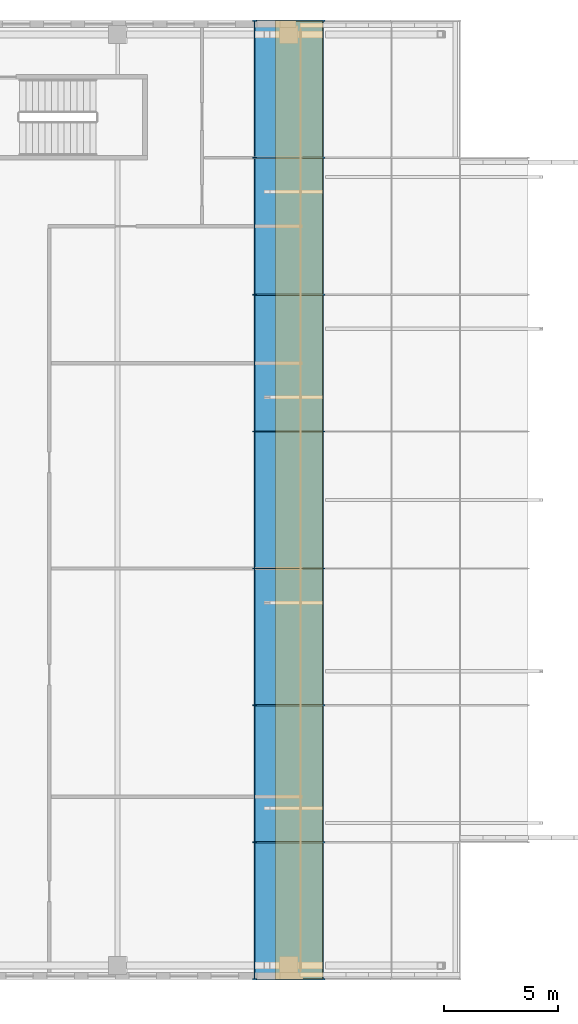
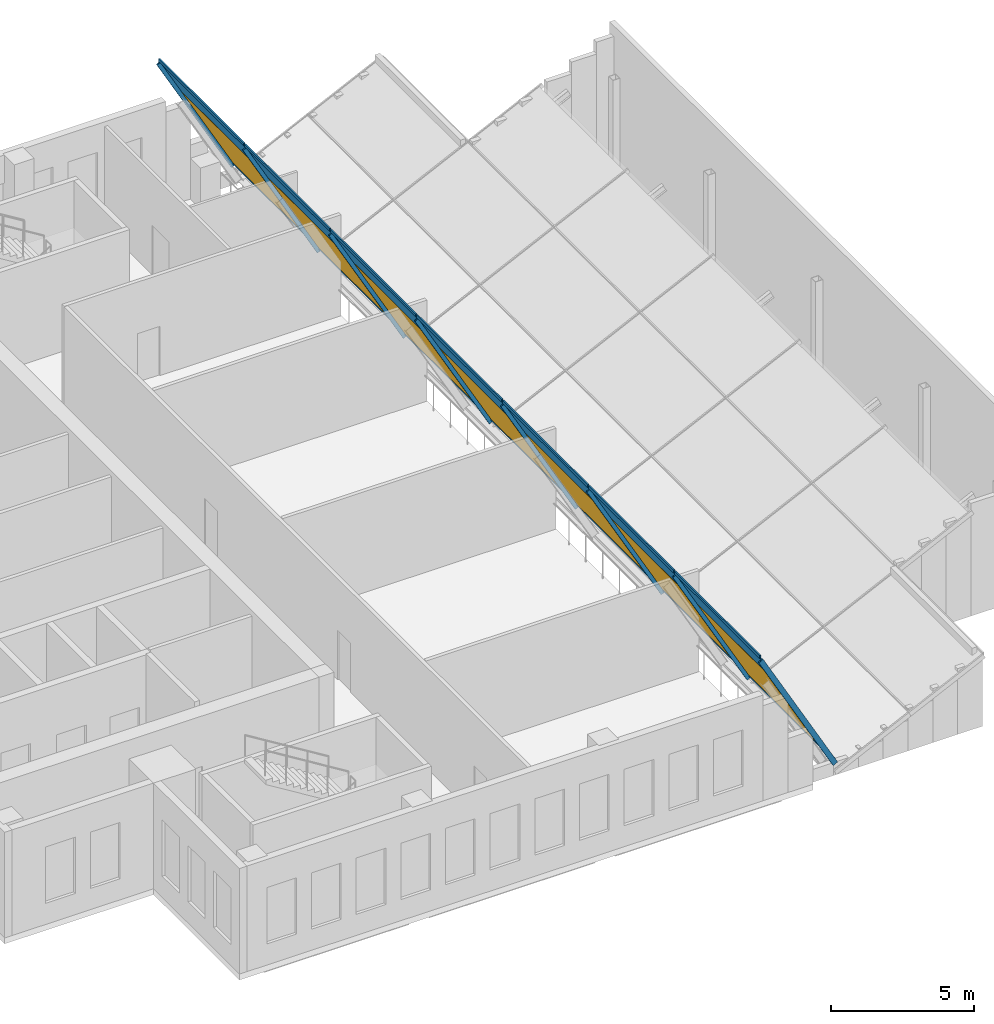
# One storey, part 8 of 11: 22 members, 7 plates, 1 curtain wall.
"""IFC4 building model written with IfcOpenShell, lengths in metres."""

import ifcopenshell
import ifcopenshell.guid

model = None  # the IFC model being written
_history = None  # IfcOwnerHistory: only IFC2X3 demands one
_inside = {}  # id of a spatial element -> (the spatial element, [elements in it])
_under = {}  # id of a project, library or spatial element -> (it, [spatial elements below it])
_declared = {}  # id of a project -> (the project, [libraries it declares])
_typed = {}  # id of a type object -> (the type object, [elements of that type])
_made_of = {}  # id of a material, layer set ... -> (it, [elements and type objects made of it])


def new_model(schema):
    """Start an empty IFC model of exactly this schema.

    Asked for "IFC4X3", IfcOpenShell would pick the latest addendum, in which some entities
    have other attributes; the version numbers below select the first issue.
    IFC2X3 requires an IfcOwnerHistory on every rooted entity: one is made here for all.
    """
    global model, _history
    if schema == "IFC4X3":
        model = ifcopenshell.file(schema_version=(4, 3, 0, 0))
    else:
        model = ifcopenshell.file(schema=schema)
    _inside.clear()
    _under.clear()
    _declared.clear()
    _typed.clear()
    _made_of.clear()
    _history = None
    if model.schema == "IFC2X3":
        org = make("IfcOrganization", Name="unknown")
        user = make(
            "IfcPersonAndOrganization",
            ThePerson=make("IfcPerson", FamilyName="unknown"),
            TheOrganization=org,
        )
        app = make(
            "IfcApplication",
            ApplicationDeveloper=org,
            Version="unknown",
            ApplicationFullName="unknown",
            ApplicationIdentifier="unknown",
        )
        _history = make(
            "IfcOwnerHistory",
            OwningUser=user,
            OwningApplication=app,
            ChangeAction="ADDED",
            CreationDate=0,
        )
    return model


def make(cls, **values):
    """One entity of the class cls with the attributes given. An attribute that is None is left unset."""
    return model.create_entity(
        cls, **{name: value for name, value in values.items() if value is not None}
    )


def rooted(cls, **values):
    """An entity with a GlobalId (a new one), such as an element, a storey or a relation."""
    return make(cls, GlobalId=ifcopenshell.guid.new(), OwnerHistory=_history, **values)


def si_unit(unit_type, name, prefix=None):
    """IfcSIUnit, for example si_unit("LENGTHUNIT", "METRE", prefix="MILLI")."""
    return make("IfcSIUnit", UnitType=unit_type, Prefix=prefix, Name=name)


def assignment(units):
    """IfcUnitAssignment: the units of a project."""
    return None if units is None else make("IfcUnitAssignment", Units=units)


def point(xyz):
    """IfcCartesianPoint."""
    return None if xyz is None else make("IfcCartesianPoint", Coordinates=xyz)


def direction(xyz):
    """IfcDirection."""
    return None if xyz is None else make("IfcDirection", DirectionRatios=xyz)


def frame(location, z_axis=None, x_axis=None):
    """IfcAxis2Placement3D, a coordinate frame: its origin and axes. An axis left out is left unset."""
    return make(
        "IfcAxis2Placement3D",
        Location=point(location),
        Axis=direction(z_axis),
        RefDirection=direction(x_axis),
    )


def frame_2d(location, x_axis=None):
    """IfcAxis2Placement2D, a coordinate frame in the plane: its origin and x axis."""
    return make(
        "IfcAxis2Placement2D", Location=point(location), RefDirection=direction(x_axis)
    )


def origin():
    """The frame at (0, 0, 0) with its axes left unset."""
    return frame((0.0, 0.0, 0.0))


def origin_2d():
    """The frame at (0, 0) in the plane with its x axis left unset."""
    return frame_2d((0.0, 0.0))


def place(relative_to, where):
    """IfcLocalPlacement: puts the frame where relative to a parent placement (None: the world)."""
    return make(
        "IfcLocalPlacement", PlacementRelTo=relative_to, RelativePlacement=where
    )


def context(
    kind, dimensions, precision=None, world=None, true_north=None, identifier=None
):
    """IfcGeometricRepresentationContext, for example the 3D "Model" context."""
    return make(
        "IfcGeometricRepresentationContext",
        ContextIdentifier=identifier,
        ContextType=kind,
        CoordinateSpaceDimension=dimensions,
        Precision=precision,
        WorldCoordinateSystem=world,
        TrueNorth=true_north,
    )


def subcontext(parent, identifier, kind, view, scale=None):
    """IfcGeometricRepresentationSubContext, for example "Body" below "Model"."""
    return make(
        "IfcGeometricRepresentationSubContext",
        ContextIdentifier=identifier,
        ContextType=kind,
        ParentContext=parent,
        TargetScale=scale,
        TargetView=view,
    )


def project(units=None, contexts=None):
    """IfcProject with its units and contexts."""
    return rooted(
        "IfcProject",
        Name="project",
        RepresentationContexts=contexts,
        UnitsInContext=assignment(units),
    )


def spatial(cls, under=None, at=None, **own):
    """A site, building, storey or space (cls), placed at a placement, below another one or the project."""
    s = rooted(cls, ObjectPlacement=at, **own)
    if under is not None:
        _under.setdefault(under.id(), (under, []))[1].append(s)
    return s


def polyline(points):
    """IfcPolyline through the points."""
    return make("IfcPolyline", Points=[point(p) for p in points])


def profile(cls, at=None, kind="AREA", **sizes):
    """A parametric profile (cls). Its sizes go by their IFC names, for example OverallWidth=200.0."""
    return make(cls, ProfileType=kind, Position=at, **sizes)


def hollow_rectangle(**sizes):
    """IfcRectangleHollowProfileDef."""
    return profile("IfcRectangleHollowProfileDef", **sizes)


def outline(outer, holes=None, kind="AREA"):
    """IfcArbitraryClosedProfileDef: a profile drawn as a closed curve; with holes, ...WithVoids."""
    if holes is None:
        return make("IfcArbitraryClosedProfileDef", ProfileType=kind, OuterCurve=outer)
    return make(
        "IfcArbitraryProfileDefWithVoids",
        ProfileType=kind,
        OuterCurve=outer,
        InnerCurves=holes,
    )


def extrude(swept, where, along, depth):
    """IfcExtrudedAreaSolid: the profile swept, set in the frame where, extruded along a direction by depth."""
    return make(
        "IfcExtrudedAreaSolid",
        SweptArea=swept,
        Position=where,
        ExtrudedDirection=direction(along),
        Depth=depth,
    )


def shape(context_of_items, identifier, shape_type, items):
    """IfcShapeRepresentation: the items that make up one representation, for example the "Body"."""
    return make(
        "IfcShapeRepresentation",
        ContextOfItems=context_of_items,
        RepresentationIdentifier=identifier,
        RepresentationType=shape_type,
        Items=items,
    )


def source(mapping_origin, context_of_items, identifier, shape_type, items):
    """IfcRepresentationMap: a shape defined once, which mapped items show again and again."""
    return make(
        "IfcRepresentationMap",
        MappingOrigin=mapping_origin,
        MappedRepresentation=shape(context_of_items, identifier, shape_type, items),
    )


def transform(
    local_origin,
    x_axis=None,
    y_axis=None,
    z_axis=None,
    scale=None,
    scale2=None,
    scale3=None,
    uniform=True,
):
    """IfcCartesianTransformationOperator3D, or its non-uniform kind. x_axis, y_axis, z_axis: its Axis1, 2, 3."""
    if uniform:
        return make(
            "IfcCartesianTransformationOperator3D",
            Axis1=direction(x_axis),
            Axis2=direction(y_axis),
            LocalOrigin=point(local_origin),
            Scale=scale,
            Axis3=direction(z_axis),
        )
    return make(
        "IfcCartesianTransformationOperator3DnonUniform",
        Axis1=direction(x_axis),
        Axis2=direction(y_axis),
        LocalOrigin=point(local_origin),
        Scale=scale,
        Axis3=direction(z_axis),
        Scale2=scale2,
        Scale3=scale3,
    )


def mapped(mapping_source, mapping_target):
    """IfcMappedItem: shows the shape of a source again, moved by a transform."""
    return make(
        "IfcMappedItem", MappingSource=mapping_source, MappingTarget=mapping_target
    )


def material(Name=None, Category=None):
    """IfcMaterial."""
    return make("IfcMaterial", Name=Name, Category=Category)


def layer(
    of_material, thickness, ventilated=None, Name=None, Category=None, Priority=None
):
    """IfcMaterialLayer: one layer of a wall or slab, of a material (None: an air gap)."""
    return make(
        "IfcMaterialLayer",
        Material=of_material,
        LayerThickness=thickness,
        IsVentilated=ventilated,
        Name=Name,
        Category=Category,
        Priority=Priority,
    )


def layer_set(layers, Name=None):
    """IfcMaterialLayerSet."""
    return make("IfcMaterialLayerSet", MaterialLayers=layers, LayerSetName=Name)


def material_profile(
    of_material, cross_section, Name=None, Category=None, Priority=None
):
    """IfcMaterialProfile: a cross section and its material."""
    return make(
        "IfcMaterialProfile",
        Name=Name,
        Material=of_material,
        Profile=cross_section,
        Priority=Priority,
        Category=Category,
    )


def profile_set(profiles, Name=None, composite=None):
    """IfcMaterialProfileSet."""
    return make(
        "IfcMaterialProfileSet",
        Name=Name,
        MaterialProfiles=profiles,
        CompositeProfile=composite,
    )


def made_of(thing, what):
    """Note that an element or type object is made of a material, layer set ...; save() writes the relation."""
    if what is not None:
        _made_of.setdefault(what.id(), (what, []))[1].append(thing)
    return thing


def type_object(cls, material=None, **own):
    """A type object (cls), such as IfcWallType, which elements share."""
    return made_of(rooted(cls, **own), material)


def element(
    cls,
    number,
    at=None,
    inside=None,
    cuts=None,
    type_object=None,
    material=None,
    context=None,
    identifier="Body",
    shape_type=None,
    held_by="IfcProductDefinitionShape",
    body=None,
    shapes=None,
    **own,
):
    """One element of the class cls, such as IfcWall. Its Tag is "e" and its number.

    at: its placement. inside: the storey or other place that contains it. cuts: it is an
    opening in that element (IfcRelVoidsElement). A single representation is given by context,
    identifier, shape_type and body (its items); several are given by shapes. held_by: the class
    of the entity that holds the representations. save() writes the other relations.
    """
    e = rooted(cls, Tag="e%d" % number, ObjectPlacement=at, **own)
    if body is not None:
        shapes = [shape(context, identifier, shape_type, body)]
    if shapes is not None:
        e.Representation = make(held_by, Representations=shapes)
    if inside is not None:
        _inside.setdefault(inside.id(), (inside, []))[1].append(e)
    if cuts is not None:
        rooted(
            "IfcRelVoidsElement", RelatingBuildingElement=cuts, RelatedOpeningElement=e
        )
    if type_object is not None:
        _typed.setdefault(type_object.id(), (type_object, []))[1].append(e)
    return made_of(e, material)


def aggregate(whole, parts):
    """IfcRelAggregates: a whole, such as a stair, and the parts it consists of."""
    return rooted("IfcRelAggregates", RelatingObject=whole, RelatedObjects=parts)


def save(model, path):
    """Write the relations noted so far, then the file.

    IfcRelAggregates (storeys below a building ...), IfcRelContainedInSpatialStructure (elements
    in a storey), IfcRelDefinesByType, IfcRelAssociatesMaterial and IfcRelDeclares: one each for
    every whole, place, type object, material and project.
    """
    for whole, parts in _under.values():
        aggregate(whole, parts)
    for where, things in _inside.values():
        rooted(
            "IfcRelContainedInSpatialStructure",
            RelatedElements=things,
            RelatingStructure=where,
        )
    for kind, things in _typed.values():
        rooted("IfcRelDefinesByType", RelatedObjects=things, RelatingType=kind)
    for what, things in _made_of.values():
        rooted("IfcRelAssociatesMaterial", RelatedObjects=things, RelatingMaterial=what)
    for by, libraries in _declared.values():
        rooted("IfcRelDeclares", RelatingContext=by, RelatedDefinitions=libraries)
    model.write(path)


model = new_model("IFC4")

# Units and contexts
model_context = context("Model", 3, precision=1e-05, world=origin(), true_north=direction((0.0, 1.0)))
body_context = subcontext(model_context, "Body", "Model", "MODEL_VIEW")
ifc_project = project(units=[si_unit("LENGTHUNIT", "METRE"), si_unit("AREAUNIT", "SQUARE_METRE"), si_unit("VOLUMEUNIT", "CUBIC_METRE"), si_unit("PLANEANGLEUNIT", "RADIAN"), si_unit("MASSUNIT", "GRAM", prefix="KILO")], contexts=[model_context])

# Member
ifc_material_1 = material(Name="Aluminium", Category="aluminium")
ifc_material_profile_1 = material_profile(ifc_material_1, hollow_rectangle(XDim=0.06005859375, YDim=0.1201171875, WallThickness=0.0048828125, at=origin_2d()), Name="Crown roof glazing purlin CR-CW-T")
ifc_profile_set_1 = profile_set([ifc_material_profile_1], Name="Aluminium")
member_type_1 = type_object("IfcMemberType", Name="Crown roof glazing purlin CR-CW-T", PredefinedType="USERDEFINED", material=ifc_profile_set_1)
shared_shape_1 = source(origin(), body_context, "Body", "SweptSolid", [
    extrude(hollow_rectangle(XDim=0.06005859375, YDim=0.1201171875, WallThickness=0.0048828125, at=origin_2d()), origin(), (0.0, 0.0, 1.0), 5.93994140625),
])
site_placement = place(None, origin())
building_placement = place(site_placement, origin())
storey_placement = place(building_placement, frame((0.0, 0.0, 334.699951171875)))
member_1_placement = place(storey_placement, frame((33.0, 6.030029296875, 6.148193359375), z_axis=(0.0, 1.0, 0.0), x_axis=(-1.0, 0.0, 0.0)))
member_1 = element("IfcMember", 1, at=member_1_placement, type_object=member_type_1, Name="Crown glazing purlin", ObjectType="TRANSOM", PredefinedType="USERDEFINED", context=body_context, shape_type="MappedRepresentation", body=[
    mapped(shared_shape_1, transform((0.0, 0.0, 0.0))),
])

member_2_placement = place(storey_placement, frame((33.0, 12.030029296875, 6.148193359375), z_axis=(0.0, 1.0, 0.0), x_axis=(-1.0, 0.0, 0.0)))
member_2 = element("IfcMember", 2, at=member_2_placement, type_object=member_type_1, Name="Crown glazing purlin", ObjectType="TRANSOM", PredefinedType="USERDEFINED", context=body_context, shape_type="MappedRepresentation", body=[
    mapped(shared_shape_1, transform((0.0, 0.0, 0.0))),
])

member_3_placement = place(storey_placement, frame((33.0, 18.030029296875, 6.148193359375), z_axis=(0.0, 1.0, 0.0), x_axis=(-1.0, 0.0, 0.0)))
member_3 = element("IfcMember", 3, at=member_3_placement, type_object=member_type_1, Name="Crown glazing purlin", ObjectType="TRANSOM", PredefinedType="USERDEFINED", context=body_context, shape_type="MappedRepresentation", body=[
    mapped(shared_shape_1, transform((0.0, 0.0, 0.0))),
])

member_4_placement = place(storey_placement, frame((33.0, 24.030029296875, 6.148193359375), z_axis=(0.0, 1.0, 0.0), x_axis=(-1.0, 0.0, 0.0)))
member_4 = element("IfcMember", 4, at=member_4_placement, type_object=member_type_1, Name="Crown glazing purlin", ObjectType="TRANSOM", PredefinedType="USERDEFINED", context=body_context, shape_type="MappedRepresentation", body=[
    mapped(shared_shape_1, transform((0.0, 0.0, 0.0))),
])

member_5_placement = place(storey_placement, frame((33.0, 30.030029296875, 6.148193359375), z_axis=(0.0, 1.0, 0.0), x_axis=(-1.0, 0.0, 0.0)))
member_5 = element("IfcMember", 5, at=member_5_placement, type_object=member_type_1, Name="Crown glazing purlin", ObjectType="TRANSOM", PredefinedType="USERDEFINED", context=body_context, shape_type="MappedRepresentation", body=[
    mapped(shared_shape_1, transform((0.0, 0.0, 0.0))),
])

member_6_placement = place(storey_placement, frame((33.0, 36.030029296875, 6.148193359375), z_axis=(0.0, 1.0, 0.0), x_axis=(-1.0, 0.0, 0.0)))
member_6 = element("IfcMember", 6, at=member_6_placement, type_object=member_type_1, Name="Crown glazing purlin", ObjectType="TRANSOM", PredefinedType="USERDEFINED", context=body_context, shape_type="MappedRepresentation", body=[
    mapped(shared_shape_1, transform((0.0, 0.0, 0.0))),
])

member_7_placement = place(storey_placement, frame((33.0, 42.030029296875, 6.148193359375), z_axis=(0.0, 1.0, 0.0), x_axis=(-1.0, 0.0, 0.0)))
member_7 = element("IfcMember", 7, at=member_7_placement, type_object=member_type_1, Name="Crown glazing purlin", ObjectType="TRANSOM", PredefinedType="USERDEFINED", context=body_context, shape_type="MappedRepresentation", body=[
    mapped(shared_shape_1, transform((0.0, 0.0, 0.0))),
])

member_8_placement = place(storey_placement, frame((36.0, 6.030029296875, 0.72314453125), z_axis=(0.0, 1.0, 0.0), x_axis=(-1.0, 0.0, 0.0)))
member_8 = element("IfcMember", 8, at=member_8_placement, type_object=member_type_1, Name="Crown glazing purlin", ObjectType="TRANSOM", PredefinedType="USERDEFINED", context=body_context, shape_type="MappedRepresentation", body=[
    mapped(shared_shape_1, transform((0.0, 0.0, 0.0))),
])

member_9_placement = place(storey_placement, frame((36.0, 12.030029296875, 0.72314453125), z_axis=(0.0, 1.0, 0.0), x_axis=(-1.0, 0.0, 0.0)))
member_9 = element("IfcMember", 9, at=member_9_placement, type_object=member_type_1, Name="Crown glazing purlin", ObjectType="TRANSOM", PredefinedType="USERDEFINED", context=body_context, shape_type="MappedRepresentation", body=[
    mapped(shared_shape_1, transform((0.0, 0.0, 0.0))),
])

member_10_placement = place(storey_placement, frame((36.0, 18.030029296875, 0.72314453125), z_axis=(0.0, 1.0, 0.0), x_axis=(-1.0, 0.0, 0.0)))
member_10 = element("IfcMember", 10, at=member_10_placement, type_object=member_type_1, Name="Crown glazing purlin", ObjectType="TRANSOM", PredefinedType="USERDEFINED", context=body_context, shape_type="MappedRepresentation", body=[
    mapped(shared_shape_1, transform((0.0, 0.0, 0.0))),
])

member_11_placement = place(storey_placement, frame((36.0, 24.030029296875, 0.72314453125), z_axis=(0.0, 1.0, 0.0), x_axis=(-1.0, 0.0, 0.0)))
member_11 = element("IfcMember", 11, at=member_11_placement, type_object=member_type_1, Name="Crown glazing purlin", ObjectType="TRANSOM", PredefinedType="USERDEFINED", context=body_context, shape_type="MappedRepresentation", body=[
    mapped(shared_shape_1, transform((0.0, 0.0, 0.0))),
])

member_12_placement = place(storey_placement, frame((36.0, 30.030029296875, 0.72314453125), z_axis=(0.0, 1.0, 0.0), x_axis=(-1.0, 0.0, 0.0)))
member_12 = element("IfcMember", 12, at=member_12_placement, type_object=member_type_1, Name="Crown glazing purlin", ObjectType="TRANSOM", PredefinedType="USERDEFINED", context=body_context, shape_type="MappedRepresentation", body=[
    mapped(shared_shape_1, transform((0.0, 0.0, 0.0))),
])

member_13_placement = place(storey_placement, frame((36.0, 36.030029296875, 0.72314453125), z_axis=(0.0, 1.0, 0.0), x_axis=(-1.0, 0.0, 0.0)))
member_13 = element("IfcMember", 13, at=member_13_placement, type_object=member_type_1, Name="Crown glazing purlin", ObjectType="TRANSOM", PredefinedType="USERDEFINED", context=body_context, shape_type="MappedRepresentation", body=[
    mapped(shared_shape_1, transform((0.0, 0.0, 0.0))),
])

member_14_placement = place(storey_placement, frame((36.0, 42.030029296875, 0.72314453125), z_axis=(0.0, 1.0, 0.0), x_axis=(-1.0, 0.0, 0.0)))
member_14 = element("IfcMember", 14, at=member_14_placement, type_object=member_type_1, Name="Crown glazing purlin", ObjectType="TRANSOM", PredefinedType="USERDEFINED", context=body_context, shape_type="MappedRepresentation", body=[
    mapped(shared_shape_1, transform((0.0, 0.0, 0.0))),
])

ifc_material_2 = material(Name="Aluminium", Category="aluminium")
ifc_material_profile_2 = material_profile(ifc_material_2, hollow_rectangle(XDim=0.06005859375, YDim=0.199951171875, WallThickness=0.0048828125, at=origin_2d()), Name="Crown roof glazing rafter CR-CW-M")
ifc_profile_set_2 = profile_set([ifc_material_profile_2], Name="Aluminium")
member_type_2 = type_object("IfcMemberType", Name="Crown roof glazing rafter CR-CW-M", PredefinedType="MULLION", material=ifc_profile_set_2)
shared_shape_2 = source(origin(), body_context, "Body", "SweptSolid", [
    extrude(hollow_rectangle(XDim=0.06005859375, YDim=0.199951171875, WallThickness=0.0048828125, at=origin_2d()), origin(), (0.0, 0.0, 1.0), 6.19921875),
])
member_15_placement = place(storey_placement, frame((33.0, 6.0, 6.001708984375), z_axis=(0.483926647766, 0.0, -0.875108564454), x_axis=(0.0, 1.0, 0.0)))
member_15 = element("IfcMember", 15, at=member_15_placement, type_object=member_type_2, Name="Crown glazing rafter", PredefinedType="MULLION", context=body_context, shape_type="MappedRepresentation", body=[
    mapped(shared_shape_2, transform((0.0, 0.0, 0.0))),
])

member_16_placement = place(storey_placement, frame((33.0, 12.0, 6.001708984375), z_axis=(0.483926647766, 0.0, -0.875108564454), x_axis=(0.0, 1.0, 0.0)))
member_16 = element("IfcMember", 16, at=member_16_placement, type_object=member_type_2, Name="Crown glazing rafter", PredefinedType="MULLION", context=body_context, shape_type="MappedRepresentation", body=[
    mapped(shared_shape_2, transform((0.0, 0.0, 0.0))),
])

member_17_placement = place(storey_placement, frame((33.0, 18.0, 6.001708984375), z_axis=(0.483926647766, 0.0, -0.875108564454), x_axis=(0.0, 1.0, 0.0)))
member_17 = element("IfcMember", 17, at=member_17_placement, type_object=member_type_2, Name="Crown glazing rafter", PredefinedType="MULLION", context=body_context, shape_type="MappedRepresentation", body=[
    mapped(shared_shape_2, transform((0.0, 0.0, 0.0))),
])

member_18_placement = place(storey_placement, frame((33.0, 24.0, 6.001708984375), z_axis=(0.483926647766, 0.0, -0.875108564454), x_axis=(0.0, 1.0, 0.0)))
member_18 = element("IfcMember", 18, at=member_18_placement, type_object=member_type_2, Name="Crown glazing rafter", PredefinedType="MULLION", context=body_context, shape_type="MappedRepresentation", body=[
    mapped(shared_shape_2, transform((0.0, 0.0, 0.0))),
])

member_19_placement = place(storey_placement, frame((33.0, 30.0, 6.001708984375), z_axis=(0.483926647766, 0.0, -0.875108564454), x_axis=(0.0, 1.0, 0.0)))
member_19 = element("IfcMember", 19, at=member_19_placement, type_object=member_type_2, Name="Crown glazing rafter", PredefinedType="MULLION", context=body_context, shape_type="MappedRepresentation", body=[
    mapped(shared_shape_2, transform((0.0, 0.0, 0.0))),
])

member_20_placement = place(storey_placement, frame((33.0, 36.0, 6.001708984375), z_axis=(0.483926647766, 0.0, -0.875108564454), x_axis=(0.0, 1.0, 0.0)))
member_20 = element("IfcMember", 20, at=member_20_placement, type_object=member_type_2, Name="Crown glazing rafter", PredefinedType="MULLION", context=body_context, shape_type="MappedRepresentation", body=[
    mapped(shared_shape_2, transform((0.0, 0.0, 0.0))),
])

member_21_placement = place(storey_placement, frame((33.0, 42.0, 6.001708984375), z_axis=(0.483926647766, 0.0, -0.875108564454), x_axis=(0.0, 1.0, 0.0)))
member_21 = element("IfcMember", 21, at=member_21_placement, type_object=member_type_2, Name="Crown glazing rafter", PredefinedType="MULLION", context=body_context, shape_type="MappedRepresentation", body=[
    mapped(shared_shape_2, transform((0.0, 0.0, 0.0))),
])

member_22_placement = place(storey_placement, frame((33.0, 48.0, 6.001708984375), z_axis=(0.483926647766, 0.0, -0.875108564454), x_axis=(0.0, 1.0, 0.0)))
member_22 = element("IfcMember", 22, at=member_22_placement, type_object=member_type_2, Name="Crown glazing rafter", PredefinedType="MULLION", context=body_context, shape_type="MappedRepresentation", body=[
    mapped(shared_shape_2, transform((0.0, 0.0, 0.0))),
])

# Plate
ifc_material_3 = material(Name="Laminated heat-strengthened glass", Category="glass")
ifc_layer = layer(ifc_material_3, 0.031982421875)
ifc_layer_set = layer_set([ifc_layer], Name="Laminated heat-strengthened glass")
plate_type = type_object("IfcPlateType", Name="Crown roof glazing panel CR-CW-P", PredefinedType="CURTAIN_PANEL", material=ifc_layer_set)
plate_1_placement = place(storey_placement, frame((33.030029296875, 6.030029296875, 6.112060546875), z_axis=(0.875116601201, 0.0, 0.483912114234), x_axis=(0.483912114234, 0.0, -0.875116601201)))
plate_1 = element("IfcPlate", 23, at=plate_1_placement, type_object=plate_type, Name="Crown roof glazing panel", PredefinedType="CURTAIN_PANEL", context=body_context, shape_type="SweptSolid", body=[
    extrude(outline(polyline([(0.0, 0.0), (6.075362281240205, 0.0), (6.075362281240205, 5.93994140625), (0.0, 5.93994140625), (0.0, 0.0)])), origin(), (0.0, 0.0, -1.0), 0.031982421875),
])

plate_2_placement = place(storey_placement, frame((33.030029296875, 12.030029296875, 6.112060546875), z_axis=(0.875116601201, 0.0, 0.483912114234), x_axis=(0.483912114234, 0.0, -0.875116601201)))
plate_2 = element("IfcPlate", 24, at=plate_2_placement, type_object=plate_type, Name="Crown roof glazing panel", PredefinedType="CURTAIN_PANEL", context=body_context, shape_type="SweptSolid", body=[
    extrude(outline(polyline([(0.0, 0.0), (6.075362281240205, 0.0), (6.075362281240205, 5.93994140625), (0.0, 5.93994140625), (0.0, 0.0)])), origin(), (0.0, 0.0, -1.0), 0.031982421875),
])

plate_3_placement = place(storey_placement, frame((33.030029296875, 18.030029296875, 6.112060546875), z_axis=(0.875116601201, 0.0, 0.483912114234), x_axis=(0.483912114234, 0.0, -0.875116601201)))
plate_3 = element("IfcPlate", 25, at=plate_3_placement, type_object=plate_type, Name="Crown roof glazing panel", PredefinedType="CURTAIN_PANEL", context=body_context, shape_type="SweptSolid", body=[
    extrude(outline(polyline([(0.0, 0.0), (6.075362281240205, 0.0), (6.075362281240205, 5.93994140625), (0.0, 5.93994140625), (0.0, 0.0)])), origin(), (0.0, 0.0, -1.0), 0.031982421875),
])

plate_4_placement = place(storey_placement, frame((33.030029296875, 24.030029296875, 6.112060546875), z_axis=(0.875116601201, 0.0, 0.483912114234), x_axis=(0.483912114234, 0.0, -0.875116601201)))
plate_4 = element("IfcPlate", 26, at=plate_4_placement, type_object=plate_type, Name="Crown roof glazing panel", PredefinedType="CURTAIN_PANEL", context=body_context, shape_type="SweptSolid", body=[
    extrude(outline(polyline([(0.0, 0.0), (6.075362281240205, 0.0), (6.075362281240205, 5.93994140625), (0.0, 5.93994140625), (0.0, 0.0)])), origin(), (0.0, 0.0, -1.0), 0.031982421875),
])

plate_5_placement = place(storey_placement, frame((33.030029296875, 30.030029296875, 6.112060546875), z_axis=(0.875116601201, 0.0, 0.483912114234), x_axis=(0.483912114234, 0.0, -0.875116601201)))
plate_5 = element("IfcPlate", 27, at=plate_5_placement, type_object=plate_type, Name="Crown roof glazing panel", PredefinedType="CURTAIN_PANEL", context=body_context, shape_type="SweptSolid", body=[
    extrude(outline(polyline([(0.0, 0.0), (6.075362281240205, 0.0), (6.075362281240205, 5.93994140625), (0.0, 5.93994140625), (0.0, 0.0)])), origin(), (0.0, 0.0, -1.0), 0.031982421875),
])

plate_6_placement = place(storey_placement, frame((33.030029296875, 36.030029296875, 6.112060546875), z_axis=(0.875116601201, 0.0, 0.483912114234), x_axis=(0.483912114234, 0.0, -0.875116601201)))
plate_6 = element("IfcPlate", 28, at=plate_6_placement, type_object=plate_type, Name="Crown roof glazing panel", PredefinedType="CURTAIN_PANEL", context=body_context, shape_type="SweptSolid", body=[
    extrude(outline(polyline([(0.0, 0.0), (6.075362281240205, 0.0), (6.075362281240205, 5.93994140625), (0.0, 5.93994140625), (0.0, 0.0)])), origin(), (0.0, 0.0, -1.0), 0.031982421875),
])

plate_7_placement = place(storey_placement, frame((33.030029296875, 42.030029296875, 6.112060546875), z_axis=(0.875116601201, 0.0, 0.483912114234), x_axis=(0.483912114234, 0.0, -0.875116601201)))
plate_7 = element("IfcPlate", 29, at=plate_7_placement, type_object=plate_type, Name="Crown roof glazing panel", PredefinedType="CURTAIN_PANEL", context=body_context, shape_type="SweptSolid", body=[
    extrude(outline(polyline([(0.0, 0.0), (6.075362281240205, 0.0), (6.075362281240205, 5.93994140625), (0.0, 5.93994140625), (0.0, 0.0)])), origin(), (0.0, 0.0, -1.0), 0.031982421875),
])

# Site, building, storey
site = spatial("IfcSite", under=ifc_project, at=site_placement, CompositionType="ELEMENT")
building = spatial("IfcBuilding", under=site, at=building_placement, Name="Khomas Fold Tower", CompositionType="ELEMENT")
storey = spatial("IfcBuildingStorey", under=building, at=storey_placement, Name="C2", CompositionType="ELEMENT", Elevation=334.699951171875)

# Curtain wall
ifc_material_4 = material(Name="Aluminium framed double glazing", Category="aluminium")
curtain_wall_type = type_object("IfcCurtainWallType", Name="Crown roof glazing CR-CW", PredefinedType="NOTDEFINED", material=ifc_material_4)
curtain_wall_placement = place(storey_placement, frame((36.0, 48.0, 0.736328125), z_axis=(0.875103617565, 0.0, 0.483935593365), x_axis=(0.0, -1.0, 0.0)))
curtain_wall = element("IfcCurtainWall", 30, at=curtain_wall_placement, inside=storey, type_object=curtain_wall_type, Name="Crown roof glazing W C2", PredefinedType="NOTDEFINED", context=body_context, shape_type="SweptSolid", body=[
    extrude(outline(polyline([(0.0, 0.0), (6.0, 0.0), (12.0, 0.0), (18.0, 0.0), (24.0, 0.0), (30.0, 0.0), (36.0, 0.0), (42.0, 0.0), (42.0, -4.300272011470308), (0.0, -4.300272011470308), (0.0, 0.0)])), origin(), (0.0, 0.0, -1.0), 0.031982421875),
])

aggregate(curtain_wall, [member_15, member_16, member_17, member_18, member_19, member_20, member_21, member_22, member_1, member_2, member_3, member_4, member_5, member_6, member_7, member_8, member_9, member_10, member_11, member_12, member_13, member_14, plate_1, plate_2, plate_3, plate_4, plate_5, plate_6, plate_7])

save(model, "model.ifc")
